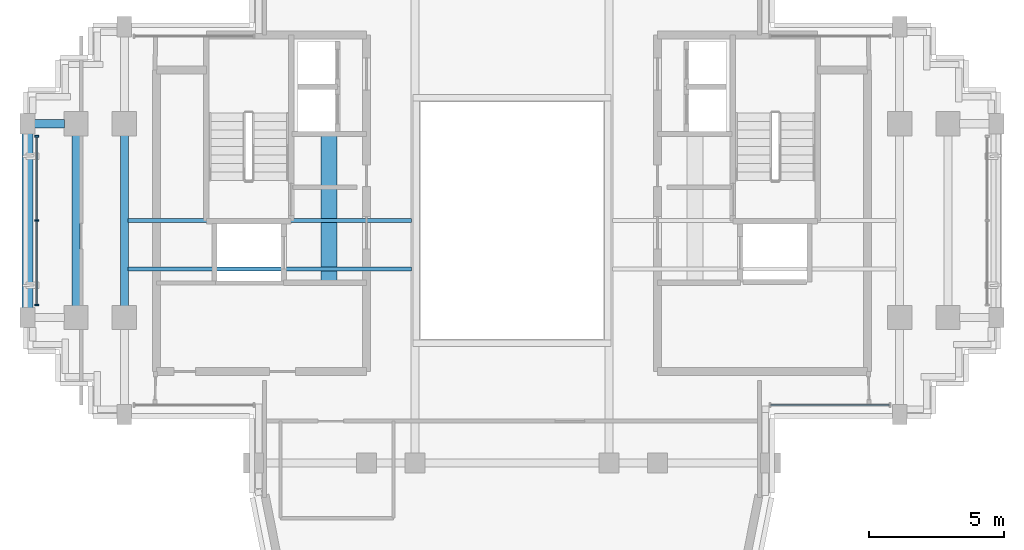
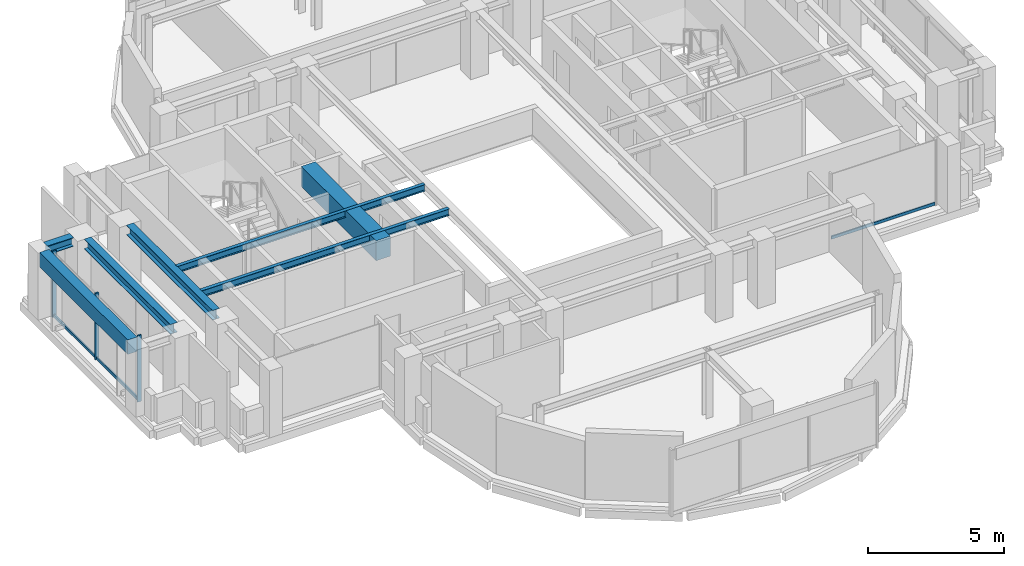
# One storey, part 4 of 12: 7 beams, 6 members, 2 elements without a shape of their own.
"""IFC4 building model written with IfcOpenShell, lengths in metres."""

from ifc_helpers import new_model, si_unit, direction, frame, origin, origin_2d, place, context, subcontext, project, spatial, rectangle, i_section, extrude, source, transform, mapped, material, material_profile, profile_set, type_object, element, aggregate, save


model = new_model("IFC4")

# Units and contexts
model_context = context("Model", 3, precision=1e-05, world=origin(), true_north=direction((0.0, 1.0)))
body_context = subcontext(model_context, "Body", "Model", "MODEL_VIEW")
ifc_project = project(units=[si_unit("LENGTHUNIT", "METRE"), si_unit("AREAUNIT", "SQUARE_METRE"), si_unit("VOLUMEUNIT", "CUBIC_METRE"), si_unit("PLANEANGLEUNIT", "RADIAN"), si_unit("MASSUNIT", "GRAM", prefix="KILO")], contexts=[model_context])

# Site, building, storey
site_placement = place(None, origin())
site = spatial("IfcSite", under=ifc_project, at=site_placement, CompositionType="ELEMENT")
building_placement = place(site_placement, origin())
building = spatial("IfcBuilding", under=site, at=building_placement, Name="Keilestroom Media Tower", CompositionType="ELEMENT")
storey_placement = place(building_placement, frame((0.0, 0.0, 246.0)))
storey = spatial("IfcBuildingStorey", under=building, at=storey_placement, Name="L68", CompositionType="ELEMENT", Elevation=246.0)

# Beams
ifc_material_1 = material(Name="Concrete C70/85", Category="concrete")
ifc_material_profile_1 = material_profile(ifc_material_1, rectangle(XDim=0.60009765625, YDim=0.89990234375, at=origin_2d()), Name="RC 600x900")
ifc_profile_set_1 = profile_set([ifc_material_profile_1], Name="Concrete C70/85")
beam_type_1 = type_object("IfcBeamType", Name="Core-Coupling-Lintel-Beam-RC-600x900", PredefinedType="LINTEL", material=ifc_profile_set_1)
shared_shape_1 = source(origin(), body_context, "Body", "SweptSolid", [
    extrude(rectangle(XDim=0.60009765625, YDim=0.89990234375, at=origin_2d()), origin(), (0.0, 0.0, 1.0), 5.52001953125),
])
beam_1_placement = place(storey_placement, frame((-6.800048828125, -2.300048828125, 2.56005859375), z_axis=(0.0, 1.0, 0.0), x_axis=(-1.0, 0.0, 0.0)))
element("IfcBeam", 1, at=beam_1_placement, inside=storey, type_object=beam_type_1, Name="L68 Beam CLB-1 CLB-L68-W", PredefinedType="LINTEL", context=body_context, shape_type="MappedRepresentation", body=[
    mapped(shared_shape_1, transform((0.0, 0.0, 0.0), x_axis=(1.0, 0.0, 0.0), y_axis=(0.0, 1.0, 0.0), z_axis=(0.0, 0.0, 1.0), scale=1.0)),
])
ifc_material_2 = material(Name="Steel S355", Category="steel")
ifc_material_profile_2 = material_profile(ifc_material_2, i_section(OverallWidth=0.300048828125, OverallDepth=0.39990234375, WebThickness=0.011474609375, FlangeThickness=0.02392578125, at=origin_2d()), Name="HEB 400")
ifc_profile_set_2 = profile_set([ifc_material_profile_2], Name="Steel S355")
beam_type_2 = type_object("IfcBeamType", Name="Primary-Structural-Girder-HEB-400", PredefinedType="BEAM", material=ifc_profile_set_2)
shared_shape_2 = source(origin(), body_context, "Body", "SweptSolid", [
    extrude(i_section(OverallWidth=0.300048828125, OverallDepth=0.39990234375, WebThickness=0.011474609375, FlangeThickness=0.02392578125, at=origin_2d()), origin(), (0.0, 0.0, 1.0), 1.115234375),
])
beam_2_placement = place(storey_placement, frame((-17.7451171875, 3.60009765625, 2.81005859375), z_axis=(1.0, 0.0, 0.0), x_axis=(0.0, 1.0, 0.0)))
element("IfcBeam", 2, at=beam_2_placement, inside=storey, type_object=beam_type_2, Name="L68 Beam BG-8 BM-L68-EW-012", PredefinedType="BEAM", context=body_context, shape_type="MappedRepresentation", body=[
    mapped(shared_shape_2, transform((0.0, 0.0, 0.0), x_axis=(1.0, 0.0, 0.0), y_axis=(0.0, 1.0, 0.0), z_axis=(0.0, 0.0, 1.0), scale=1.0)),
])
ifc_material_3 = material(Name="Precast concrete C40/50", Category="concrete")
ifc_material_profile_3 = material_profile(ifc_material_3, rectangle(XDim=0.39990234375, YDim=0.64990234375, at=origin_2d()), Name="PC 400x650")
ifc_profile_set_3 = profile_set([ifc_material_profile_3], Name="Precast concrete C40/50")
beam_type_3 = type_object("IfcBeamType", Name="Perimeter-Spandrel-Beam-PC-400x650", PredefinedType="SPANDREL", material=ifc_profile_set_3)
shared_shape_3 = source(origin(), body_context, "Body", "SweptSolid", [
    extrude(rectangle(XDim=0.39990234375, YDim=0.64990234375, at=origin_2d()), origin(), (0.0, 0.0, 1.0), 6.490234375),
])
beam_3_placement = place(storey_placement, frame((-18.0, -3.2451171875, 2.68505859375), z_axis=(0.0, 1.0, 0.0), x_axis=(-1.0, 0.0, 0.0)))
element("IfcBeam", 3, at=beam_3_placement, inside=storey, type_object=beam_type_3, Name="L68 Beam SPB-2 BM-L68-NS-025", PredefinedType="SPANDREL", context=body_context, shape_type="MappedRepresentation", body=[
    mapped(shared_shape_3, transform((0.0, 0.0, 0.0), x_axis=(1.0, 0.0, 0.0), y_axis=(0.0, 1.0, 0.0), z_axis=(0.0, 0.0, 1.0), scale=1.0)),
])
ifc_material_profile_4 = material_profile(ifc_material_2, i_section(OverallWidth=0.300048828125, OverallDepth=0.43994140625, WebThickness=0.011474609375, FlangeThickness=0.02099609375, at=origin_2d()), Name="HEA 450")
ifc_profile_set_4 = profile_set([ifc_material_profile_4], Name="Steel S355")
beam_type_4 = type_object("IfcBeamType", Name="Primary-Structural-Girder-HEA-450", PredefinedType="BEAM", material=ifc_profile_set_4)
shared_shape_4 = source(origin(), body_context, "Body", "SweptSolid", [
    extrude(i_section(OverallWidth=0.300048828125, OverallDepth=0.43994140625, WebThickness=0.011474609375, FlangeThickness=0.02099609375, at=origin_2d()), origin(), (0.0, 0.0, 1.0), 6.33984375),
])
for number, where, z_axis, x_axis, name in (
    (4, (-16.199951171875, -3.169921875, 2.7900390625), (0.0, 1.0, 0.0), (-1.0, 0.0, 0.0), "L68 Beam BG-11 BM-L68-NS-026"),
    (5, (-14.39990234375, -3.169921875, 2.7900390625), (0.0, 1.0, 0.0), (-1.0, 0.0, 0.0), "L68 Beam BG-11 BM-L68-NS-028"),
):
    element("IfcBeam", number, at=place(storey_placement, frame(where, z_axis=z_axis, x_axis=x_axis)), inside=storey, type_object=beam_type_4, Name=name, PredefinedType="BEAM", context=body_context, shape_type="MappedRepresentation", body=[
        mapped(shared_shape_4, transform((0.0, 0.0, 0.0), x_axis=(1.0, 0.0, 0.0), y_axis=(0.0, 1.0, 0.0), z_axis=(0.0, 0.0, 1.0), scale=1.0)),
    ])
ifc_material_profile_5 = material_profile(ifc_material_2, i_section(OverallWidth=0.14990234375, OverallDepth=0.300048828125, WebThickness=0.007080078125, FlangeThickness=0.0107421875, at=origin_2d()), Name="IPE 300")
ifc_profile_set_5 = profile_set([ifc_material_profile_5], Name="Steel S355")
beam_type_5 = type_object("IfcBeamType", Name="Secondary-Floor-Joist-IPE-300", PredefinedType="JOIST", material=ifc_profile_set_5)
shared_shape_5 = source(origin(), body_context, "Body", "SweptSolid", [
    extrude(i_section(OverallWidth=0.14990234375, OverallDepth=0.300048828125, WebThickness=0.007080078125, FlangeThickness=0.0107421875, at=origin_2d()), origin(), (0.0, 0.0, 1.0), 10.5400390625),
])
for number, where, z_axis, x_axis, name in (
    (6, (-14.27001953125, -1.800048828125, 2.860107421875), (1.0, 0.0, 0.0), (0.0, 1.0, 0.0), "L68 Beam BJ-7 JST-L68-045"),
    (7, (-14.27001953125, 0.0, 2.860107421875), (1.0, 0.0, 0.0), (0.0, 1.0, 0.0), "L68 Beam BJ-7 JST-L68-048"),
):
    element("IfcBeam", number, at=place(storey_placement, frame(where, z_axis=z_axis, x_axis=x_axis)), inside=storey, type_object=beam_type_5, Name=name, PredefinedType="JOIST", context=body_context, shape_type="MappedRepresentation", body=[
        mapped(shared_shape_5, transform((0.0, 0.0, 0.0), x_axis=(1.0, 0.0, 0.0), y_axis=(0.0, 1.0, 0.0), z_axis=(0.0, 0.0, 1.0), scale=1.0)),
    ])

# Curtain wall, members
ifc_material_4 = material(Name="Anodised Aluminium Alloy", Category="aluminium")
curtain_wall_type = type_object("IfcCurtainWallType", Name="Unitised-Curtain-Wall-CW-4", PredefinedType="NOTDEFINED", material=ifc_material_4)
curtain_wall_1_placement = place(storey_placement, origin())
curtain_wall_1 = element("IfcCurtainWall", 8, at=curtain_wall_1_placement, inside=storey, type_object=curtain_wall_type, Name="L68 Curtain Wall CW-4 CW-L68-W-1", PredefinedType="NOTDEFINED")
ifc_material_profile_6 = material_profile(ifc_material_4, rectangle(XDim=0.06005859375, YDim=0.159912109375, at=origin_2d()), Name="ALU MULLION 60x160")
ifc_profile_set_6 = profile_set([ifc_material_profile_6], Name="Anodised Aluminium Alloy")
member_type_1 = type_object("IfcMemberType", Name="Curtain-Wall-Mullion-CW-4", PredefinedType="MULLION", material=ifc_profile_set_6)
shared_shape_6 = source(origin(), body_context, "Body", "SweptSolid", [
    extrude(rectangle(XDim=0.06005859375, YDim=0.159912109375, at=origin_2d()), origin(), (0.0, 0.0, 1.0), 2.97998046875),
])
member_1_placement = place(storey_placement, frame((-17.64990234375, -3.135009765625, 0.0), z_axis=(0.0, 0.0, 1.0), x_axis=(0.0, 1.0, 0.0)))
member_1 = element("IfcMember", 9, at=member_1_placement, type_object=member_type_1, Name="CW-4 Mullion 00", PredefinedType="MULLION", context=body_context, shape_type="MappedRepresentation", body=[
    mapped(shared_shape_6, transform((0.0, 0.0, 0.0), x_axis=(1.0, 0.0, 0.0), y_axis=(0.0, 1.0, 0.0), z_axis=(0.0, 0.0, 1.0), scale=1.0)),
])
member_2_placement = place(storey_placement, frame((-17.64990234375, 0.0, 0.0), z_axis=(0.0, 0.0, 1.0), x_axis=(0.0, 1.0, 0.0)))
member_2 = element("IfcMember", 10, at=member_2_placement, type_object=member_type_1, Name="CW-4 Mullion 01", PredefinedType="MULLION", context=body_context, shape_type="MappedRepresentation", body=[
    mapped(shared_shape_6, transform((0.0, 0.0, 0.0), x_axis=(1.0, 0.0, 0.0), y_axis=(0.0, 1.0, 0.0), z_axis=(0.0, 0.0, 1.0), scale=1.0)),
])
member_3_placement = place(storey_placement, frame((-17.64990234375, 3.135009765625, 0.0), z_axis=(0.0, 0.0, 1.0), x_axis=(0.0, 1.0, 0.0)))
member_3 = element("IfcMember", 11, at=member_3_placement, type_object=member_type_1, Name="CW-4 Mullion 02", PredefinedType="MULLION", context=body_context, shape_type="MappedRepresentation", body=[
    mapped(shared_shape_6, transform((0.0, 0.0, 0.0), x_axis=(1.0, 0.0, 0.0), y_axis=(0.0, 1.0, 0.0), z_axis=(0.0, 0.0, 1.0), scale=1.0)),
])
ifc_material_profile_7 = material_profile(ifc_material_4, rectangle(XDim=0.06005859375, YDim=0.1298828125, at=origin_2d()), Name="ALU TRANSOM 60x130")
ifc_profile_set_7 = profile_set([ifc_material_profile_7], Name="Anodised Aluminium Alloy")
member_type_2 = type_object("IfcMemberType", Name="Curtain-Wall-Transom-CW-4", PredefinedType="USERDEFINED", material=ifc_profile_set_7)
shared_shape_7 = source(origin(), body_context, "Body", "SweptSolid", [
    extrude(rectangle(XDim=0.06005859375, YDim=0.1298828125, at=origin_2d()), origin(), (0.0, 0.0, 1.0), 3.078857421875),
])
member_4_placement = place(storey_placement, frame((-17.64990234375, -3.10693359375, 0.06494140625), z_axis=(0.0, 1.0, 0.0), x_axis=(-1.0, 0.0, 0.0)))
member_4 = element("IfcMember", 12, at=member_4_placement, type_object=member_type_2, Name="CW-4 Transom 00.1", ObjectType="TRANSOM", PredefinedType="USERDEFINED", context=body_context, shape_type="MappedRepresentation", body=[
    mapped(shared_shape_7, transform((0.0, 0.0, 0.0), x_axis=(1.0, 0.0, 0.0), y_axis=(0.0, 1.0, 0.0), z_axis=(0.0, 0.0, 1.0), scale=1.0)),
])
member_5_placement = place(storey_placement, frame((-17.64990234375, 0.028076171875, 0.06494140625), z_axis=(0.0, 1.0, 0.0), x_axis=(-1.0, 0.0, 0.0)))
member_5 = element("IfcMember", 13, at=member_5_placement, type_object=member_type_2, Name="CW-4 Transom 01.1", ObjectType="TRANSOM", PredefinedType="USERDEFINED", context=body_context, shape_type="MappedRepresentation", body=[
    mapped(shared_shape_7, transform((0.0, 0.0, 0.0), x_axis=(1.0, 0.0, 0.0), y_axis=(0.0, 1.0, 0.0), z_axis=(0.0, 0.0, 1.0), scale=1.0)),
])
aggregate(curtain_wall_1, [member_1, member_2, member_3, member_4, member_5])

# Curtain wall, member
curtain_wall_2_placement = place(storey_placement, origin())
curtain_wall_2 = element("IfcCurtainWall", 14, at=curtain_wall_2_placement, inside=storey, type_object=curtain_wall_type, Name="L68 Curtain Wall CW-4 CW-L68-SE-1", PredefinedType="NOTDEFINED")
shared_shape_8 = source(origin(), body_context, "Body", "SweptSolid", [
    extrude(rectangle(XDim=0.06005859375, YDim=0.1298828125, at=origin_2d()), origin(), (0.0, 0.0, 1.0), 4.399169921875),
])
member_6_placement = place(storey_placement, frame((9.60791015625, -6.85009765625, 0.06494140625), z_axis=(1.0, 0.0, 0.0), x_axis=(0.0, 1.0, 0.0)))
member_6 = element("IfcMember", 15, at=member_6_placement, type_object=member_type_2, Name="CW-4 Transom 00.1", ObjectType="TRANSOM", PredefinedType="USERDEFINED", context=body_context, shape_type="MappedRepresentation", body=[
    mapped(shared_shape_8, transform((0.0, 0.0, 0.0), x_axis=(1.0, 0.0, 0.0), y_axis=(0.0, 1.0, 0.0), z_axis=(0.0, 0.0, 1.0), scale=1.0)),
])
aggregate(curtain_wall_2, [member_6])

save(model, "model.ifc")
